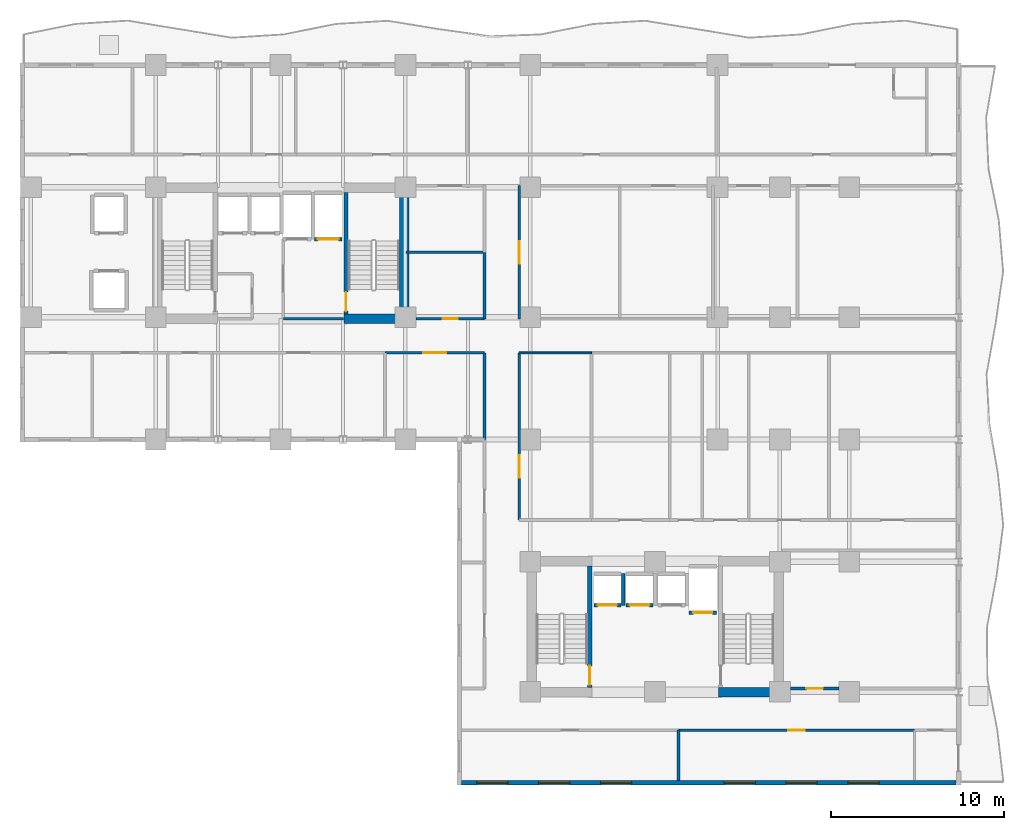
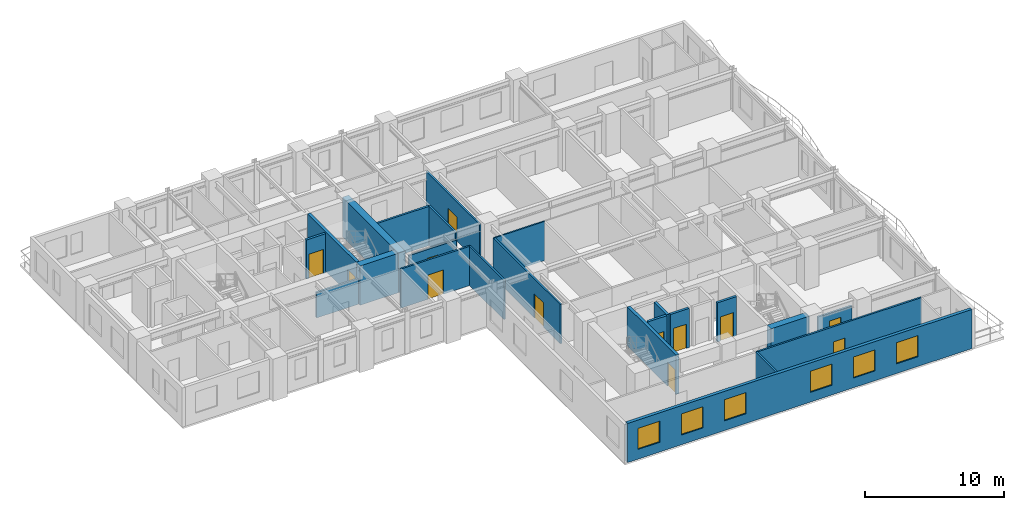
# One storey, part 4 of 11: 23 walls, 12 doors, 6 windows, 18 openings.
"""IFC4 building model written with IfcOpenShell, lengths in metres."""

from ifc_helpers import new_model, si_unit, direction, frame, frame_2d, origin, place, context, subcontext, project, spatial, rectangle, extrude, material, layer, layer_set, type_object, element, fill, save


model = new_model("IFC4")

# Units and contexts
model_context = context("Model", 3, precision=1e-05, world=origin(), true_north=direction((0.0, 1.0)))
body_context = subcontext(model_context, "Body", "Model", "MODEL_VIEW")
ifc_project = project(units=[si_unit("LENGTHUNIT", "METRE"), si_unit("AREAUNIT", "SQUARE_METRE"), si_unit("VOLUMEUNIT", "CUBIC_METRE"), si_unit("PLANEANGLEUNIT", "RADIAN"), si_unit("MASSUNIT", "GRAM", prefix="KILO")], contexts=[model_context])

# Site, building, storey
site_placement = place(None, origin())
site = spatial("IfcSite", under=ifc_project, at=site_placement, CompositionType="ELEMENT")
building_placement = place(site_placement, origin())
building = spatial("IfcBuilding", under=site, at=building_placement, Name="Kaliganga Portal Commons", CompositionType="ELEMENT")
storey_placement = place(building_placement, frame((0.0, 0.0, 86.0)))
storey = spatial("IfcBuildingStorey", under=building, at=storey_placement, Name="L21", CompositionType="ELEMENT", Elevation=86.0)

# Walls
ifc_material_1 = material(Name="Concrete C60/75", Category="concrete")
ifc_layer_1 = layer(ifc_material_1, 0.550048828125)
ifc_layer_set_1 = layer_set([ifc_layer_1], Name="Concrete C60/75")
wall_type_1 = type_object("IfcWallType", Name="WL-CORE-550", PredefinedType="SHEAR", material=ifc_layer_set_1)
wall_1_placement = place(storey_placement, frame((28.72509765625, 28.300048828125, 0.0), z_axis=(0.0, 0.0, 1.0), x_axis=(0.0, 1.0, 0.0)))
element("IfcWall", 1, at=wall_1_placement, inside=storey, type_object=wall_type_1, Name="Core A East Shear Wall L21", PredefinedType="SHEAR", context=body_context, shape_type="SweptSolid", body=[
    extrude(rectangle(XDim=8.099853515625, YDim=0.550048828125, at=frame_2d((4.0498046875, 0.0))), origin(), (0.0, 0.0, 1.0), 3.449951171875),
])
for number, where, z_axis, x_axis, name in (
    (2, (25.25, 28.574951171875, 0.0), (0.0, 0.0, 1.0), (1.0, 0.0, 0.0), "Core A S-East Shear Wall L21"),
    (3, (46.85009765625, 7.02490234375, 0.0), (0.0, 0.0, 1.0), (1.0, 0.0, 0.0), "Core B S-East Shear Wall L21"),
):
    element("IfcWall", number, at=place(storey_placement, frame(where, z_axis=z_axis, x_axis=x_axis)), inside=storey, type_object=wall_type_1, Name=name, PredefinedType="SHEAR", context=body_context, shape_type="SweptSolid", body=[
        extrude(rectangle(XDim=3.199951171875, YDim=0.550048828125, at=frame_2d((1.60009765625, 0.0))), origin(), (0.0, 0.0, 1.0), 3.449951171875),
    ])

# Wall, openings, windows
ifc_material_2 = material(Name="Insulated Aluminium-Clad Spandrel Assembly", Category="aluminium")
ifc_layer_2 = layer(ifc_material_2, 0.260009765625)
ifc_layer_set_2 = layer_set([ifc_layer_2], Name="Insulated Aluminium-Clad Spandrel Assembly")
wall_type_2 = type_object("IfcWallType", Name="WL-EXT-SPAND-260", PredefinedType="STANDARD", material=ifc_layer_set_2)
wall_2_placement = place(storey_placement, frame((60.56494140625, 1.800048828125, 0.0), z_axis=(0.0, 0.0, 1.0), x_axis=(-1.0, 0.0, 0.0)))
wall_2 = element("IfcWall", 4, at=wall_2_placement, inside=storey, type_object=wall_type_2, Name="Exterior Envelope Wall L21 P1-E00-S1", PredefinedType="STANDARD", context=body_context, shape_type="SweptSolid", body=[
    extrude(rectangle(XDim=28.530029296875, YDim=0.260009765625, at=frame_2d((14.26513671875, 0.0))), origin(), (0.0, 0.0, 1.0), 3.429931640625),
])
opening_1_placement = place(wall_2_placement, frame((4.449462890625, 0.0, 0.85009765625)))
opening_1 = element("IfcOpeningElement", 5, at=opening_1_placement, cuts=wall_2, Name="Opening W-01", PredefinedType="OPENING", context=body_context, shape_type="SweptSolid", body=[
    extrude(rectangle(XDim=1.800048828125, YDim=1.85009765625, at=frame_2d((0.89990234375, 0.925048828125))), frame((0.0, 0.14013671875, 0.0), z_axis=(0.0, -1.0, 0.0), x_axis=(1.0, 0.0, 0.0)), (0.0, 0.0, 1.0), 0.280029296875),
])
opening_2_placement = place(wall_2_placement, frame((8.015625, 0.0, 0.85009765625)))
opening_2 = element("IfcOpeningElement", 6, at=opening_2_placement, cuts=wall_2, Name="Opening W-01", PredefinedType="OPENING", context=body_context, shape_type="SweptSolid", body=[
    extrude(rectangle(XDim=1.800048828125, YDim=1.85009765625, at=frame_2d((0.89990234375, 0.925048828125))), frame((0.0, 0.14013671875, 0.0), z_axis=(0.0, -1.0, 0.0), x_axis=(1.0, 0.0, 0.0)), (0.0, 0.0, 1.0), 0.280029296875),
])
opening_3_placement = place(wall_2_placement, frame((11.581787109375, 0.0, 0.85009765625)))
opening_3 = element("IfcOpeningElement", 7, at=opening_3_placement, cuts=wall_2, Name="Opening W-01", PredefinedType="OPENING", context=body_context, shape_type="SweptSolid", body=[
    extrude(rectangle(XDim=1.800048828125, YDim=1.85009765625, at=frame_2d((0.89990234375, 0.925048828125))), frame((0.0, 0.14013671875, 0.0), z_axis=(0.0, -1.0, 0.0), x_axis=(1.0, 0.0, 0.0)), (0.0, 0.0, 1.0), 0.280029296875),
])
opening_4_placement = place(wall_2_placement, frame((18.71435546875, 0.0, 0.85009765625)))
opening_4 = element("IfcOpeningElement", 8, at=opening_4_placement, cuts=wall_2, Name="Opening W-01", PredefinedType="OPENING", context=body_context, shape_type="SweptSolid", body=[
    extrude(rectangle(XDim=1.800048828125, YDim=1.85009765625, at=frame_2d((0.89990234375, 0.925048828125))), frame((0.0, 0.14013671875, 0.0), z_axis=(0.0, -1.0, 0.0), x_axis=(1.0, 0.0, 0.0)), (0.0, 0.0, 1.0), 0.280029296875),
])
opening_5_placement = place(wall_2_placement, frame((22.280517578125, 0.0, 0.85009765625)))
opening_5 = element("IfcOpeningElement", 9, at=opening_5_placement, cuts=wall_2, Name="Opening W-01", PredefinedType="OPENING", context=body_context, shape_type="SweptSolid", body=[
    extrude(rectangle(XDim=1.800048828125, YDim=1.85009765625, at=frame_2d((0.89990234375, 0.925048828125))), frame((0.0, 0.14013671875, 0.0), z_axis=(0.0, -1.0, 0.0), x_axis=(1.0, 0.0, 0.0)), (0.0, 0.0, 1.0), 0.280029296875),
])
opening_6_placement = place(wall_2_placement, frame((25.846923828125, 0.0, 0.85009765625)))
opening_6 = element("IfcOpeningElement", 10, at=opening_6_placement, cuts=wall_2, Name="Opening W-01", PredefinedType="OPENING", context=body_context, shape_type="SweptSolid", body=[
    extrude(rectangle(XDim=1.800048828125, YDim=1.85009765625, at=frame_2d((0.89990234375, 0.925048828125))), frame((0.0, 0.14013671875, 0.0), z_axis=(0.0, -1.0, 0.0), x_axis=(1.0, 0.0, 0.0)), (0.0, 0.0, 1.0), 0.280029296875),
])
ifc_material_3 = material(Name="Thermally Broken Aluminium and Low-E Double Glazing", Category="aluminium")
window_type = type_object("IfcWindowType", Name="WIN-STD-1800", PartitioningType="DOUBLE_PANEL_VERTICAL", PredefinedType="WINDOW", material=ifc_material_3)
window_1_placement = place(opening_1_placement, origin())
window_1 = element("IfcWindow", 11, at=window_1_placement, inside=storey, type_object=window_type, Name="Facade Window L21-P1E00S1-01", OverallHeight=1.85009765625, OverallWidth=1.800048828125, PartitioningType="SINGLE_PANEL", PredefinedType="WINDOW", context=body_context, shape_type="SweptSolid", body=[
    extrude(rectangle(XDim=1.800048828125, YDim=1.85009765625, at=frame_2d((0.89990234375, 0.925048828125))), frame((0.0, 0.030029296875, 0.0), z_axis=(0.0, -1.0, 0.0), x_axis=(1.0, 0.0, 0.0)), (0.0, 0.0, 1.0), 0.06005859375),
])
fill(opening_1, window_1)
window_2_placement = place(opening_2_placement, origin())
window_2 = element("IfcWindow", 12, at=window_2_placement, inside=storey, type_object=window_type, Name="Facade Window L21-P1E00S1-02", OverallHeight=1.85009765625, OverallWidth=1.800048828125, PartitioningType="SINGLE_PANEL", PredefinedType="WINDOW", context=body_context, shape_type="SweptSolid", body=[
    extrude(rectangle(XDim=1.800048828125, YDim=1.85009765625, at=frame_2d((0.89990234375, 0.925048828125))), frame((0.0, 0.030029296875, 0.0), z_axis=(0.0, -1.0, 0.0), x_axis=(1.0, 0.0, 0.0)), (0.0, 0.0, 1.0), 0.06005859375),
])
fill(opening_2, window_2)
window_3_placement = place(opening_3_placement, origin())
window_3 = element("IfcWindow", 13, at=window_3_placement, inside=storey, type_object=window_type, Name="Facade Window L21-P1E00S1-03", OverallHeight=1.85009765625, OverallWidth=1.800048828125, PartitioningType="SINGLE_PANEL", PredefinedType="WINDOW", context=body_context, shape_type="SweptSolid", body=[
    extrude(rectangle(XDim=1.800048828125, YDim=1.85009765625, at=frame_2d((0.89990234375, 0.925048828125))), frame((0.0, 0.030029296875, 0.0), z_axis=(0.0, -1.0, 0.0), x_axis=(1.0, 0.0, 0.0)), (0.0, 0.0, 1.0), 0.06005859375),
])
fill(opening_3, window_3)
window_4_placement = place(opening_4_placement, origin())
window_4 = element("IfcWindow", 14, at=window_4_placement, inside=storey, type_object=window_type, Name="Facade Window L21-P1E00S1-05", OverallHeight=1.85009765625, OverallWidth=1.800048828125, PartitioningType="SINGLE_PANEL", PredefinedType="WINDOW", context=body_context, shape_type="SweptSolid", body=[
    extrude(rectangle(XDim=1.800048828125, YDim=1.85009765625, at=frame_2d((0.89990234375, 0.925048828125))), frame((0.0, 0.030029296875, 0.0), z_axis=(0.0, -1.0, 0.0), x_axis=(1.0, 0.0, 0.0)), (0.0, 0.0, 1.0), 0.06005859375),
])
fill(opening_4, window_4)
window_5_placement = place(opening_5_placement, origin())
window_5 = element("IfcWindow", 15, at=window_5_placement, inside=storey, type_object=window_type, Name="Facade Window L21-P1E00S1-06", OverallHeight=1.85009765625, OverallWidth=1.800048828125, PartitioningType="SINGLE_PANEL", PredefinedType="WINDOW", context=body_context, shape_type="SweptSolid", body=[
    extrude(rectangle(XDim=1.800048828125, YDim=1.85009765625, at=frame_2d((0.89990234375, 0.925048828125))), frame((0.0, 0.030029296875, 0.0), z_axis=(0.0, -1.0, 0.0), x_axis=(1.0, 0.0, 0.0)), (0.0, 0.0, 1.0), 0.06005859375),
])
fill(opening_5, window_5)
window_6_placement = place(opening_6_placement, origin())
window_6 = element("IfcWindow", 16, at=window_6_placement, inside=storey, type_object=window_type, Name="Facade Window L21-P1E00S1-07", OverallHeight=1.85009765625, OverallWidth=1.800048828125, PartitioningType="SINGLE_PANEL", PredefinedType="WINDOW", context=body_context, shape_type="SweptSolid", body=[
    extrude(rectangle(XDim=1.800048828125, YDim=1.85009765625, at=frame_2d((0.89990234375, 0.925048828125))), frame((0.0, 0.030029296875, 0.0), z_axis=(0.0, -1.0, 0.0), x_axis=(1.0, 0.0, 0.0)), (0.0, 0.0, 1.0), 0.06005859375),
])
fill(opening_6, window_6)

# Wall, opening, door
ifc_material_4 = material(Name="Fire-Rated Gypsum Board on Steel Stud", Category="steel")
ifc_layer_3 = layer(ifc_material_4, 0.14990234375)
ifc_layer_set_3 = layer_set([ifc_layer_3], Name="Fire-Rated Gypsum Board on Steel Stud")
wall_type_3 = type_object("IfcWallType", Name="WL-PART-CORR-150", PredefinedType="PARTITIONING", material=ifc_layer_set_3)
wall_3_placement = place(storey_placement, frame((44.5400390625, 4.840087890625, 0.0), z_axis=(0.0, 0.0, 1.0), x_axis=(1.0, 0.0, 0.0)))
wall_3 = element("IfcWall", 17, at=wall_3_placement, inside=storey, type_object=wall_type_3, Name="Interior Partition L21-005", PredefinedType="PARTITIONING", context=body_context, shape_type="SweptSolid", body=[
    extrude(rectangle(XDim=13.619873046875, YDim=0.14990234375, at=frame_2d((6.81005859375, 0.0))), origin(), (0.0, 0.0, 1.0), 3.429931640625),
])
opening_7_placement = place(wall_3_placement, frame((6.3349609375, 0.0, 0.0)))
opening_7 = element("IfcOpeningElement", 18, at=opening_7_placement, cuts=wall_3, Name="Opening UD-01", PredefinedType="OPENING", context=body_context, shape_type="SweptSolid", body=[
    extrude(rectangle(XDim=0.949951171875, YDim=2.10009765625, at=frame_2d((0.47509765625, 1.050048828125))), frame((0.0, 0.0849609375, 0.0), z_axis=(0.0, -1.0, 0.0), x_axis=(1.0, 0.0, 0.0)), (0.0, 0.0, 1.0), 0.169921875),
])
ifc_material_5 = material(Name="Solid-Core Timber Acoustic Fire Door", Category="wood")
door_type_1 = type_object("IfcDoorType", Name="DR-UNIT-950", OperationType="NOTDEFINED", PredefinedType="DOOR", material=ifc_material_5)
door_1_placement = place(opening_7_placement, origin())
door_1 = element("IfcDoor", 19, at=door_1_placement, inside=storey, type_object=door_type_1, Name="Interior Door L21-BS02", OperationType="SINGLE_SWING_RIGHT", OverallHeight=2.10009765625, OverallWidth=0.949951171875, PredefinedType="DOOR", context=body_context, shape_type="SweptSolid", body=[
    extrude(rectangle(XDim=0.949951171875, YDim=2.10009765625, at=frame_2d((0.47509765625, 1.050048828125))), frame((0.0, 0.02490234375, 0.0), z_axis=(0.0, -1.0, 0.0), x_axis=(1.0, 0.0, 0.0)), (0.0, 0.0, 1.0), 0.050048828125),
])
fill(opening_7, door_1)

wall_4_placement = place(storey_placement, frame((51.0, 7.239990234375, 0.0), z_axis=(0.0, 0.0, 1.0), x_axis=(1.0, 0.0, 0.0)))
wall_4 = element("IfcWall", 20, at=wall_4_placement, inside=storey, type_object=wall_type_3, Name="Interior Partition L21-008", PredefinedType="PARTITIONING", context=body_context, shape_type="SweptSolid", body=[
    extrude(rectangle(XDim=2.800048828125, YDim=0.14990234375, at=frame_2d((1.39990234375, 0.0))), origin(), (0.0, 0.0, 1.0), 2.780029296875),
])
opening_8_placement = place(wall_4_placement, frame((0.925048828125, 0.0, 0.0)))
opening_8 = element("IfcOpeningElement", 21, at=opening_8_placement, cuts=wall_4, Name="Opening UD-01", PredefinedType="OPENING", context=body_context, shape_type="SweptSolid", body=[
    extrude(rectangle(XDim=0.949951171875, YDim=2.10009765625, at=frame_2d((0.47509765625, 1.050048828125))), frame((0.0, 0.0849609375, 0.0), z_axis=(0.0, -1.0, 0.0), x_axis=(1.0, 0.0, 0.0)), (0.0, 0.0, 1.0), 0.169921875),
])
door_2_placement = place(opening_8_placement, origin())
door_2 = element("IfcDoor", 22, at=door_2_placement, inside=storey, type_object=door_type_1, Name="Interior Door L21-BE01", OperationType="SINGLE_SWING_LEFT", OverallHeight=2.10009765625, OverallWidth=0.949951171875, PredefinedType="DOOR", context=body_context, shape_type="SweptSolid", body=[
    extrude(rectangle(XDim=0.949951171875, YDim=2.10009765625, at=frame_2d((0.47509765625, 1.050048828125))), frame((0.0, 0.02490234375, 0.0), z_axis=(0.0, -1.0, 0.0), x_axis=(1.0, 0.0, 0.0)), (0.0, 0.0, 1.0), 0.050048828125),
])
fill(opening_8, door_2)

wall_5_placement = place(storey_placement, frame((35.360107421875, 16.9599609375, 0.0), z_axis=(0.0, 0.0, 1.0), x_axis=(0.0, 1.0, 0.0)))
wall_5 = element("IfcWall", 23, at=wall_5_placement, inside=storey, type_object=wall_type_3, Name="Interior Partition L21-013", PredefinedType="PARTITIONING", context=body_context, shape_type="SweptSolid", body=[
    extrude(rectangle(XDim=9.64013671875, YDim=0.14990234375, at=frame_2d((4.820068359375, 0.0))), origin(), (0.0, 0.0, 1.0), 3.429931640625),
])
opening_9_placement = place(wall_5_placement, frame((2.434814453125, 0.0, 0.0)))
opening_9 = element("IfcOpeningElement", 24, at=opening_9_placement, cuts=wall_5, Name="Opening RD-03", PredefinedType="OPENING", context=body_context, shape_type="SweptSolid", body=[
    extrude(rectangle(XDim=1.300048828125, YDim=2.1201171875, at=frame_2d((0.64990234375, 1.06005859375))), frame((0.0, 0.0849609375, 0.0), z_axis=(0.0, -1.0, 0.0), x_axis=(1.0, 0.0, 0.0)), (0.0, 0.0, 1.0), 0.169921875),
])
ifc_material_6 = material(Name="Glazed Timber Seminar Vision Door", Category="wood")
door_type_2 = type_object("IfcDoorType", Name="DR-STUDY-1300", OperationType="DOUBLE_DOOR_SINGLE_SWING", PredefinedType="DOOR", material=ifc_material_6)
door_3_placement = place(opening_9_placement, origin())
door_3 = element("IfcDoor", 25, at=door_3_placement, inside=storey, type_object=door_type_2, Name="Interior Door L21-BM01", OperationType="DOUBLE_DOOR_SINGLE_SWING", OverallHeight=2.1201171875, OverallWidth=1.300048828125, PredefinedType="DOOR", context=body_context, shape_type="SweptSolid", body=[
    extrude(rectangle(XDim=1.300048828125, YDim=2.1201171875, at=frame_2d((0.64990234375, 1.06005859375))), frame((0.0, 0.02490234375, 0.0), z_axis=(0.0, -1.0, 0.0), x_axis=(1.0, 0.0, 0.0)), (0.0, 0.0, 1.0), 0.050048828125),
])
fill(opening_9, door_3)

wall_6_placement = place(storey_placement, frame((35.360107421875, 28.56005859375, 0.0), z_axis=(0.0, 0.0, 1.0), x_axis=(0.0, 1.0, 0.0)))
wall_6 = element("IfcWall", 26, at=wall_6_placement, inside=storey, type_object=wall_type_3, Name="Interior Partition L21-016", PredefinedType="PARTITIONING", context=body_context, shape_type="SweptSolid", body=[
    extrude(rectangle(XDim=7.679931640625, YDim=0.14990234375, at=frame_2d((3.83984375, 0.0))), origin(), (0.0, 0.0, 1.0), 3.429931640625),
])
opening_10_placement = place(wall_6_placement, frame((3.18994140625, 0.0, 0.0)))
opening_10 = element("IfcOpeningElement", 27, at=opening_10_placement, cuts=wall_6, Name="Opening RD-03", PredefinedType="OPENING", context=body_context, shape_type="SweptSolid", body=[
    extrude(rectangle(XDim=1.300048828125, YDim=2.1201171875, at=frame_2d((0.64990234375, 1.06005859375))), frame((0.0, 0.0849609375, 0.0), z_axis=(0.0, -1.0, 0.0), x_axis=(1.0, 0.0, 0.0)), (0.0, 0.0, 1.0), 0.169921875),
])
door_4_placement = place(opening_10_placement, origin())
door_4 = element("IfcDoor", 28, at=door_4_placement, inside=storey, type_object=door_type_2, Name="Interior Door L21-BK01", OperationType="DOUBLE_DOOR_SINGLE_SWING", OverallHeight=2.1201171875, OverallWidth=1.300048828125, PredefinedType="DOOR", context=body_context, shape_type="SweptSolid", body=[
    extrude(rectangle(XDim=1.300048828125, YDim=2.1201171875, at=frame_2d((0.64990234375, 1.06005859375))), frame((0.0, 0.02490234375, 0.0), z_axis=(0.0, -1.0, 0.0), x_axis=(1.0, 0.0, 0.0)), (0.0, 0.0, 1.0), 0.050048828125),
])
fill(opening_10, door_4)

wall_7_placement = place(storey_placement, frame((27.6201171875, 26.60009765625, 0.0), z_axis=(0.0, 0.0, 1.0), x_axis=(1.0, 0.0, 0.0)))
wall_7 = element("IfcWall", 29, at=wall_7_placement, inside=storey, type_object=wall_type_3, Name="Interior Partition L21-023", PredefinedType="PARTITIONING", context=body_context, shape_type="SweptSolid", body=[
    extrude(rectangle(XDim=5.739990234375, YDim=0.14990234375, at=frame_2d((2.8701171875, 0.0))), origin(), (0.0, 0.0, 1.0), 3.429931640625),
])
opening_11_placement = place(wall_7_placement, frame((2.219970703125, 0.0, 0.0)))
opening_11 = element("IfcOpeningElement", 30, at=opening_11_placement, cuts=wall_7, Name="Opening RD-03", PredefinedType="OPENING", context=body_context, shape_type="SweptSolid", body=[
    extrude(rectangle(XDim=1.300048828125, YDim=2.1201171875, at=frame_2d((0.64990234375, 1.06005859375))), frame((0.0, 0.0849609375, 0.0), z_axis=(0.0, -1.0, 0.0), x_axis=(1.0, 0.0, 0.0)), (0.0, 0.0, 1.0), 0.169921875),
])
door_5_placement = place(opening_11_placement, origin())
door_5 = element("IfcDoor", 31, at=door_5_placement, inside=storey, type_object=door_type_2, Name="Interior Door L21-AS05", OperationType="DOUBLE_DOOR_SINGLE_SWING", OverallHeight=2.1201171875, OverallWidth=1.300048828125, PredefinedType="DOOR", context=body_context, shape_type="SweptSolid", body=[
    extrude(rectangle(XDim=1.300048828125, YDim=2.1201171875, at=frame_2d((0.64990234375, 1.06005859375))), frame((0.0, 0.02490234375, 0.0), z_axis=(0.0, -1.0, 0.0), x_axis=(1.0, 0.0, 0.0)), (0.0, 0.0, 1.0), 0.050048828125),
])
fill(opening_11, door_5)

# Wall
wall_8_placement = place(storey_placement, frame((33.360107421875, 21.60009765625, 0.0), z_axis=(0.0, 0.0, 1.0), x_axis=(0.0, 1.0, 0.0)))
element("IfcWall", 32, at=wall_8_placement, inside=storey, type_object=wall_type_3, Name="Interior Partition L21-025", PredefinedType="PARTITIONING", context=body_context, shape_type="SweptSolid", body=[
    extrude(rectangle(XDim=5.0, YDim=0.14990234375, at=frame_2d((2.5, 0.0))), origin(), (0.0, 0.0, 1.0), 3.429931640625),
])

# Wall, opening, door
wall_9_placement = place(storey_placement, frame((29.39990234375, 28.56005859375, 0.0), z_axis=(0.0, 0.0, 1.0), x_axis=(1.0, 0.0, 0.0)))
wall_9 = element("IfcWall", 33, at=wall_9_placement, inside=storey, type_object=wall_type_3, Name="Interior Partition L21-029", PredefinedType="PARTITIONING", context=body_context, shape_type="SweptSolid", body=[
    extrude(rectangle(XDim=3.960205078125, YDim=0.14990234375, at=frame_2d((1.97998046875, 0.0))), origin(), (0.0, 0.0, 1.0), 2.780029296875),
])
opening_12_placement = place(wall_9_placement, frame((1.550048828125, 0.0, 0.0)))
opening_12 = element("IfcOpeningElement", 34, at=opening_12_placement, cuts=wall_9, Name="Opening WD-02", PredefinedType="OPENING", context=body_context, shape_type="SweptSolid", body=[
    extrude(rectangle(XDim=0.860107421875, YDim=2.02001953125, at=frame_2d((0.43017578125, 1.010009765625))), frame((0.0, 0.0849609375, 0.0), z_axis=(0.0, -1.0, 0.0), x_axis=(1.0, 0.0, 0.0)), (0.0, 0.0, 1.0), 0.169921875),
])
ifc_material_7 = material(Name="Fire-Rated Utility Closet Door", Category="wood")
door_type_3 = type_object("IfcDoorType", Name="DR-STORE-800", OperationType="NOTDEFINED", PredefinedType="DOOR", material=ifc_material_7)
door_6_placement = place(opening_12_placement, origin())
door_6 = element("IfcDoor", 35, at=door_6_placement, inside=storey, type_object=door_type_3, Name="Interior Door L21-CSRV_A1", OperationType="SINGLE_SWING_RIGHT", OverallHeight=2.02001953125, OverallWidth=0.860107421875, PredefinedType="DOOR", context=body_context, shape_type="SweptSolid", body=[
    extrude(rectangle(XDim=0.860107421875, YDim=2.02001953125, at=frame_2d((0.43017578125, 1.010009765625))), frame((0.0, 0.02490234375, 0.0), z_axis=(0.0, -1.0, 0.0), x_axis=(1.0, 0.0, 0.0)), (0.0, 0.0, 1.0), 0.050048828125),
])
fill(opening_12, door_6)

# Walls
wall_10_placement = place(storey_placement, frame((33.360107421875, 28.56005859375, 0.0), z_axis=(0.0, 0.0, 1.0), x_axis=(0.0, 1.0, 0.0)))
element("IfcWall", 36, at=wall_10_placement, inside=storey, type_object=wall_type_3, Name="Interior Partition L21-036", PredefinedType="PARTITIONING", context=body_context, shape_type="SweptSolid", body=[
    extrude(rectangle(XDim=3.83984375, YDim=0.14990234375, at=frame_2d((1.919921875, 0.0))), origin(), (0.0, 0.0, 1.0), 3.429931640625),
])
wall_11_placement = place(storey_placement, frame((21.760009765625, 28.56005859375, 0.0), z_axis=(0.0, 0.0, 1.0), x_axis=(1.0, 0.0, 0.0)))
element("IfcWall", 37, at=wall_11_placement, inside=storey, type_object=wall_type_3, Name="Interior Partition L21-076", PredefinedType="PARTITIONING", context=body_context, shape_type="SweptSolid", body=[
    extrude(rectangle(XDim=3.47998046875, YDim=0.14990234375, at=frame_2d((1.739990234375, 0.0))), origin(), (0.0, 0.0, 1.0), 2.22998046875),
])
ifc_material_8 = material(Name="Moisture-Resistant Gypsum Partition", Category="gypsum")
ifc_layer_4 = layer(ifc_material_8, 0.114990234375)
ifc_layer_set_4 = layer_set([ifc_layer_4], Name="Moisture-Resistant Gypsum Partition")
wall_type_4 = type_object("IfcWallType", Name="WL-PART-ROOM-115", PredefinedType="PARTITIONING", material=ifc_layer_set_4)
wall_12_placement = place(storey_placement, frame((35.360107421875, 26.60009765625, 0.0), z_axis=(0.0, 0.0, 1.0), x_axis=(1.0, 0.0, 0.0)))
element("IfcWall", 38, at=wall_12_placement, inside=storey, type_object=wall_type_4, Name="Interior Partition L21-075", PredefinedType="PARTITIONING", context=body_context, shape_type="SweptSolid", body=[
    extrude(rectangle(XDim=4.179931640625, YDim=0.114990234375, at=frame_2d((2.08984375, 0.0))), origin(), (0.0, 0.0, 1.0), 3.429931640625),
])
ifc_material_9 = material(Name="Twin-Stud Acoustic Gypsum Partition", Category="gypsum")
ifc_layer_5 = layer(ifc_material_9, 0.1650390625)
ifc_layer_set_5 = layer_set([ifc_layer_5], Name="Twin-Stud Acoustic Gypsum Partition")
wall_type_5 = type_object("IfcWallType", Name="WL-PART-UNIT-165", PredefinedType="PARTITIONING", material=ifc_layer_set_5)
wall_13_placement = place(storey_placement, frame((28.840087890625, 32.39990234375, 0.0), z_axis=(0.0, 0.0, 1.0), x_axis=(1.0, 0.0, 0.0)))
element("IfcWall", 39, at=wall_13_placement, inside=storey, type_object=wall_type_5, Name="Interior Partition L21-073", PredefinedType="PARTITIONING", context=body_context, shape_type="SweptSolid", body=[
    extrude(rectangle(XDim=4.52001953125, YDim=0.1650390625, at=frame_2d((2.260009765625, 0.0))), origin(), (0.0, 0.0, 1.0), 3.429931640625),
])
wall_14_placement = place(storey_placement, frame((44.5400390625, 1.931884765625, 0.0), z_axis=(0.0, 0.0, 1.0), x_axis=(0.0, 1.0, 0.0)))
element("IfcWall", 40, at=wall_14_placement, inside=storey, type_object=wall_type_5, Name="Interior Partition L21-078", PredefinedType="PARTITIONING", context=body_context, shape_type="SweptSolid", body=[
    extrude(rectangle(XDim=2.908203125, YDim=0.1650390625, at=frame_2d((1.4541015625, 0.0))), origin(), (0.0, 0.0, 1.0), 3.429931640625),
])

# Wall, opening, door
ifc_material_10 = material(Name="Fire-Rated Shaftwall Masonry Assembly", Category="masonry")
ifc_layer_6 = layer(ifc_material_10, 0.199951171875)
ifc_layer_set_6 = layer_set([ifc_layer_6], Name="Fire-Rated Shaftwall Masonry Assembly")
wall_type_6 = type_object("IfcWallType", Name="WL-SHAFT-200", PredefinedType="PARTITIONING", material=ifc_layer_set_6)
wall_15_placement = place(storey_placement, frame((23.550048828125, 33.159912109375, 0.0), z_axis=(0.0, 0.0, 1.0), x_axis=(1.0, 0.0, 0.0)))
wall_15 = element("IfcWall", 41, at=wall_15_placement, inside=storey, type_object=wall_type_6, Name="Lift FFL-2 Hoistway Shaft Wall L21-S", PredefinedType="PARTITIONING", context=body_context, shape_type="SweptSolid", body=[
    extrude(rectangle(XDim=1.599853515625, YDim=0.199951171875, at=frame_2d((0.7998046875, 0.0))), origin(), (0.0, 0.0, 1.0), 3.429931640625),
])
opening_13_placement = place(wall_15_placement, frame((0.199951171875, 0.0, 0.0)))
opening_13 = element("IfcOpeningElement", 42, at=opening_13_placement, cuts=wall_15, Name="Opening LD-02", PredefinedType="OPENING", context=body_context, shape_type="SweptSolid", body=[
    extrude(rectangle(XDim=1.199951171875, YDim=2.1201171875, at=frame_2d((0.60009765625, 1.06005859375))), frame((0.0, 0.10986328125, 0.0), z_axis=(0.0, -1.0, 0.0), x_axis=(1.0, 0.0, 0.0)), (0.0, 0.0, 1.0), 0.219970703125),
])
ifc_material_11 = material(Name="Brushed Stainless Steel 316 Stretcher Lift Landing Door", Category="steel")
door_type_4 = type_object("IfcDoorType", Name="DR-LIFT-1200", OperationType="SLIDING_TO_RIGHT", PredefinedType="DOOR", material=ifc_material_11)
door_7_placement = place(opening_13_placement, origin())
door_7 = element("IfcDoor", 43, at=door_7_placement, inside=storey, type_object=door_type_4, Name="Lift FFL-2 Sliding Landing Door L21", OperationType="SLIDING_TO_RIGHT", OverallHeight=2.1201171875, OverallWidth=1.199951171875, PredefinedType="DOOR", context=body_context, shape_type="SweptSolid", body=[
    extrude(rectangle(XDim=1.199951171875, YDim=2.1201171875, at=frame_2d((0.60009765625, 1.06005859375))), frame((0.0, 0.02490234375, 0.0), z_axis=(0.0, -1.0, 0.0), x_axis=(1.0, 0.0, 0.0)), (0.0, 0.0, 1.0), 0.050048828125),
])
fill(opening_13, door_7)

wall_16_placement = place(storey_placement, frame((39.675048828125, 12.034912109375, 0.0), z_axis=(0.0, 0.0, 1.0), x_axis=(1.0, 0.0, 0.0)))
wall_16 = element("IfcWall", 44, at=wall_16_placement, inside=storey, type_object=wall_type_6, Name="Lift PL-B1 Hoistway Shaft Wall L21-S", PredefinedType="PARTITIONING", context=body_context, shape_type="SweptSolid", body=[
    extrude(rectangle(XDim=1.550048828125, YDim=0.199951171875, at=frame_2d((0.77490234375, 0.0))), origin(), (0.0, 0.0, 1.0), 3.429931640625),
])
opening_14_placement = place(wall_16_placement, frame((0.22509765625, 0.0, 0.0)))
opening_14 = element("IfcOpeningElement", 45, at=opening_14_placement, cuts=wall_16, Name="Opening LD-01", PredefinedType="OPENING", context=body_context, shape_type="SweptSolid", body=[
    extrude(rectangle(XDim=1.10009765625, YDim=2.1201171875, at=frame_2d((0.550048828125, 1.06005859375))), frame((0.0, 0.10986328125, 0.0), z_axis=(0.0, -1.0, 0.0), x_axis=(1.0, 0.0, 0.0)), (0.0, 0.0, 1.0), 0.219970703125),
])
ifc_material_12 = material(Name="Brushed Stainless Steel 316 Lift Landing Door", Category="steel")
door_type_5 = type_object("IfcDoorType", Name="DR-LIFT-1100", OperationType="SLIDING_TO_LEFT", PredefinedType="DOOR", material=ifc_material_12)
door_8_placement = place(opening_14_placement, origin())
door_8 = element("IfcDoor", 46, at=door_8_placement, inside=storey, type_object=door_type_5, Name="Lift PL-B1 Sliding Landing Door L21", OperationType="SLIDING_TO_LEFT", OverallHeight=2.1201171875, OverallWidth=1.10009765625, PredefinedType="DOOR", context=body_context, shape_type="SweptSolid", body=[
    extrude(rectangle(XDim=1.10009765625, YDim=2.1201171875, at=frame_2d((0.550048828125, 1.06005859375))), frame((0.0, 0.02490234375, 0.0), z_axis=(0.0, -1.0, 0.0), x_axis=(1.0, 0.0, 0.0)), (0.0, 0.0, 1.0), 0.050048828125),
])
fill(opening_14, door_8)

# Wall
wall_17_placement = place(storey_placement, frame((41.364990234375, 12.034912109375, 0.0), z_axis=(0.0, 0.0, 1.0), x_axis=(0.0, 1.0, 0.0)))
element("IfcWall", 47, at=wall_17_placement, inside=storey, type_object=wall_type_6, Name="Lift PL-B1 Hoistway Shaft Wall L21-E", PredefinedType="PARTITIONING", context=body_context, shape_type="SweptSolid", body=[
    extrude(rectangle(XDim=1.830078125, YDim=0.199951171875, at=frame_2d((0.9150390625, 0.0))), origin(), (0.0, 0.0, 1.0), 3.429931640625),
])

# Wall, opening, door
wall_18_placement = place(storey_placement, frame((41.52490234375, 12.034912109375, 0.0), z_axis=(0.0, 0.0, 1.0), x_axis=(1.0, 0.0, 0.0)))
wall_18 = element("IfcWall", 48, at=wall_18_placement, inside=storey, type_object=wall_type_6, Name="Lift PL-B2 Hoistway Shaft Wall L21-S", PredefinedType="PARTITIONING", context=body_context, shape_type="SweptSolid", body=[
    extrude(rectangle(XDim=1.550048828125, YDim=0.199951171875, at=frame_2d((0.77490234375, 0.0))), origin(), (0.0, 0.0, 1.0), 3.429931640625),
])
opening_15_placement = place(wall_18_placement, frame((0.22509765625, 0.0, 0.0)))
opening_15 = element("IfcOpeningElement", 49, at=opening_15_placement, cuts=wall_18, Name="Opening LD-01", PredefinedType="OPENING", context=body_context, shape_type="SweptSolid", body=[
    extrude(rectangle(XDim=1.10009765625, YDim=2.1201171875, at=frame_2d((0.550048828125, 1.06005859375))), frame((0.0, 0.10986328125, 0.0), z_axis=(0.0, -1.0, 0.0), x_axis=(1.0, 0.0, 0.0)), (0.0, 0.0, 1.0), 0.219970703125),
])
door_9_placement = place(opening_15_placement, origin())
door_9 = element("IfcDoor", 50, at=door_9_placement, inside=storey, type_object=door_type_5, Name="Lift PL-B2 Sliding Landing Door L21", OperationType="SLIDING_TO_LEFT", OverallHeight=2.1201171875, OverallWidth=1.10009765625, PredefinedType="DOOR", context=body_context, shape_type="SweptSolid", body=[
    extrude(rectangle(XDim=1.10009765625, YDim=2.1201171875, at=frame_2d((0.550048828125, 1.06005859375))), frame((0.0, 0.02490234375, 0.0), z_axis=(0.0, -1.0, 0.0), x_axis=(1.0, 0.0, 0.0)), (0.0, 0.0, 1.0), 0.050048828125),
])
fill(opening_15, door_9)

wall_19_placement = place(storey_placement, frame((45.14990234375, 11.610107421875, 0.0), z_axis=(0.0, 0.0, 1.0), x_axis=(1.0, 0.0, 0.0)))
wall_19 = element("IfcWall", 51, at=wall_19_placement, inside=storey, type_object=wall_type_6, Name="Lift SL-B1 Hoistway Shaft Wall L21-S", PredefinedType="PARTITIONING", context=body_context, shape_type="SweptSolid", body=[
    extrude(rectangle(XDim=1.60009765625, YDim=0.199951171875, at=frame_2d((0.800048828125, 0.0))), origin(), (0.0, 0.0, 1.0), 3.429931640625),
])
opening_16_placement = place(wall_19_placement, frame((0.25, 0.0, 0.0)))
opening_16 = element("IfcOpeningElement", 52, at=opening_16_placement, cuts=wall_19, Name="Opening LD-01", PredefinedType="OPENING", context=body_context, shape_type="SweptSolid", body=[
    extrude(rectangle(XDim=1.10009765625, YDim=2.1201171875, at=frame_2d((0.550048828125, 1.06005859375))), frame((0.0, 0.10986328125, 0.0), z_axis=(0.0, -1.0, 0.0), x_axis=(1.0, 0.0, 0.0)), (0.0, 0.0, 1.0), 0.219970703125),
])
door_10_placement = place(opening_16_placement, origin())
door_10 = element("IfcDoor", 53, at=door_10_placement, inside=storey, type_object=door_type_5, Name="Lift SL-B1 Sliding Landing Door L21", OperationType="SLIDING_TO_LEFT", OverallHeight=2.1201171875, OverallWidth=1.10009765625, PredefinedType="DOOR", context=body_context, shape_type="SweptSolid", body=[
    extrude(rectangle(XDim=1.10009765625, YDim=2.1201171875, at=frame_2d((0.550048828125, 1.06005859375))), frame((0.0, 0.02490234375, 0.0), z_axis=(0.0, -1.0, 0.0), x_axis=(1.0, 0.0, 0.0)), (0.0, 0.0, 1.0), 0.050048828125),
])
fill(opening_16, door_10)

ifc_material_13 = material(Name="Concrete C50/60", Category="concrete")
ifc_layer_7 = layer(ifc_material_13, 0.25)
ifc_layer_set_7 = layer_set([ifc_layer_7], Name="Concrete C50/60")
wall_type_7 = type_object("IfcWallType", Name="WL-STAIR-250", PredefinedType="SHEAR", material=ifc_layer_set_7)
wall_20_placement = place(storey_placement, frame((25.375, 28.85009765625, 0.0), z_axis=(0.0, 0.0, 1.0), x_axis=(0.0, 1.0, 0.0)))
wall_20 = element("IfcWall", 54, at=wall_20_placement, inside=storey, type_object=wall_type_7, Name="Stair A2 Enclosure Shear Wall L21", PredefinedType="SHEAR", context=body_context, shape_type="SweptSolid", body=[
    extrude(rectangle(XDim=7.0, YDim=0.25, at=frame_2d((3.5, 0.0))), origin(), (0.0, 0.0, 1.0), 3.449951171875),
])
opening_17_placement = place(wall_20_placement, frame((0.14990234375, 0.0, 0.0)))
opening_17 = element("IfcOpeningElement", 55, at=opening_17_placement, cuts=wall_20, Name="Opening SD-01", PredefinedType="OPENING", context=body_context, shape_type="SweptSolid", body=[
    extrude(rectangle(XDim=1.10009765625, YDim=2.080078125, at=frame_2d((0.550048828125, 1.0400390625))), frame((0.0, 0.135009765625, 0.0), z_axis=(0.0, -1.0, 0.0), x_axis=(1.0, 0.0, 0.0)), (0.0, 0.0, 1.0), 0.27001953125),
])
ifc_material_14 = material(Name="Galvanized Steel Fire Door Leaf and Frame", Category="steel")
door_type_6 = type_object("IfcDoorType", Name="DR-STAIR-1100", OperationType="NOTDEFINED", PredefinedType="DOOR", material=ifc_material_14)
door_11_placement = place(opening_17_placement, origin())
door_11 = element("IfcDoor", 56, at=door_11_placement, inside=storey, type_object=door_type_6, Name="Protected Stair ST-A2 Fire Door L21", OperationType="SINGLE_SWING_RIGHT", OverallHeight=2.080078125, OverallWidth=1.10009765625, PredefinedType="DOOR", context=body_context, shape_type="SweptSolid", body=[
    extrude(rectangle(XDim=1.10009765625, YDim=2.080078125, at=frame_2d((0.550048828125, 1.0400390625))), frame((0.0, 0.02490234375, 0.0), z_axis=(0.0, -1.0, 0.0), x_axis=(1.0, 0.0, 0.0)), (0.0, 0.0, 1.0), 0.050048828125),
])
fill(opening_17, door_11)

wall_21_placement = place(storey_placement, frame((39.425048828125, 7.300048828125, 0.0), z_axis=(0.0, 0.0, 1.0), x_axis=(0.0, 1.0, 0.0)))
wall_21 = element("IfcWall", 57, at=wall_21_placement, inside=storey, type_object=wall_type_7, Name="Stair B1 Enclosure Shear Wall L21", PredefinedType="SHEAR", context=body_context, shape_type="SweptSolid", body=[
    extrude(rectangle(XDim=7.0, YDim=0.25, at=frame_2d((3.5, 0.0))), origin(), (0.0, 0.0, 1.0), 3.449951171875),
])
opening_18_placement = place(wall_21_placement, frame((0.14990234375, 0.0, 0.0)))
opening_18 = element("IfcOpeningElement", 58, at=opening_18_placement, cuts=wall_21, Name="Opening SD-01", PredefinedType="OPENING", context=body_context, shape_type="SweptSolid", body=[
    extrude(rectangle(XDim=1.10009765625, YDim=2.080078125, at=frame_2d((0.550048828125, 1.0400390625))), frame((0.0, 0.135009765625, 0.0), z_axis=(0.0, -1.0, 0.0), x_axis=(1.0, 0.0, 0.0)), (0.0, 0.0, 1.0), 0.27001953125),
])
door_12_placement = place(opening_18_placement, origin())
door_12 = element("IfcDoor", 59, at=door_12_placement, inside=storey, type_object=door_type_6, Name="Protected Stair ST-B1 Fire Door L21", OperationType="SINGLE_SWING_LEFT", OverallHeight=2.080078125, OverallWidth=1.10009765625, PredefinedType="DOOR", context=body_context, shape_type="SweptSolid", body=[
    extrude(rectangle(XDim=1.10009765625, YDim=2.080078125, at=frame_2d((0.550048828125, 1.0400390625))), frame((0.0, 0.02490234375, 0.0), z_axis=(0.0, -1.0, 0.0), x_axis=(1.0, 0.0, 0.0)), (0.0, 0.0, 1.0), 0.050048828125),
])
fill(opening_18, door_12)

save(model, "model.ifc")
